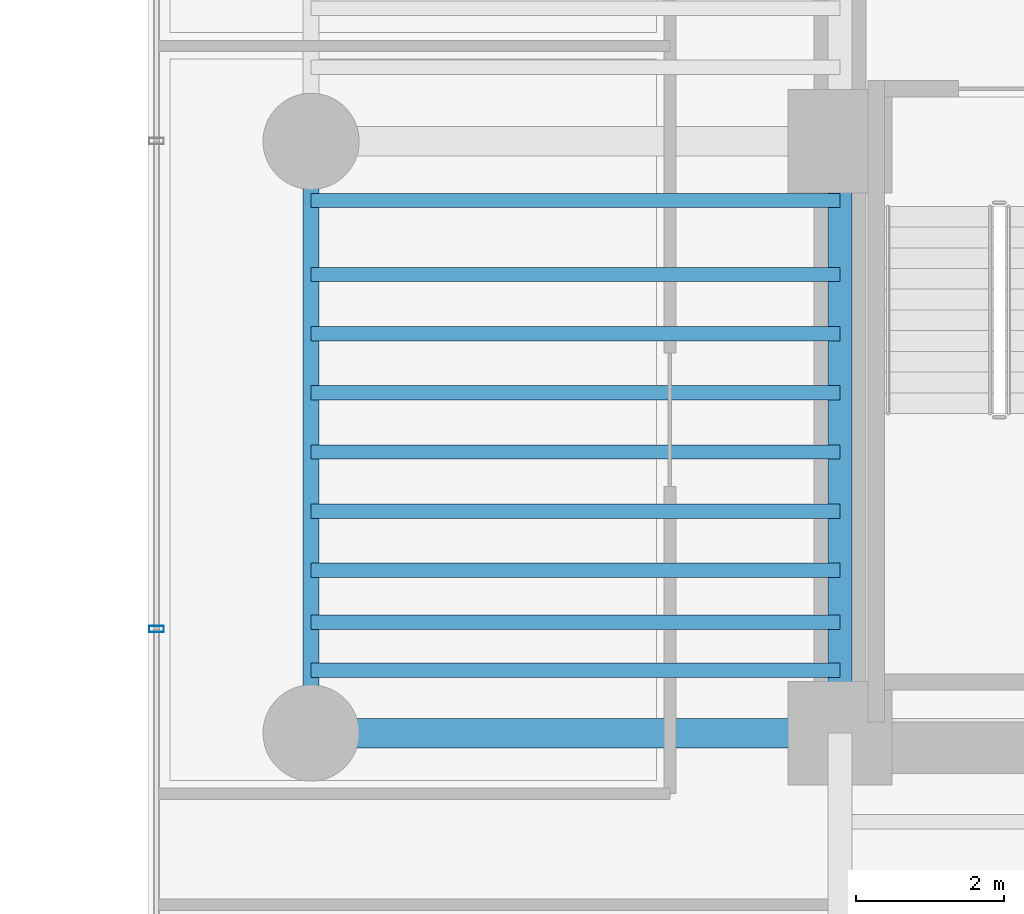
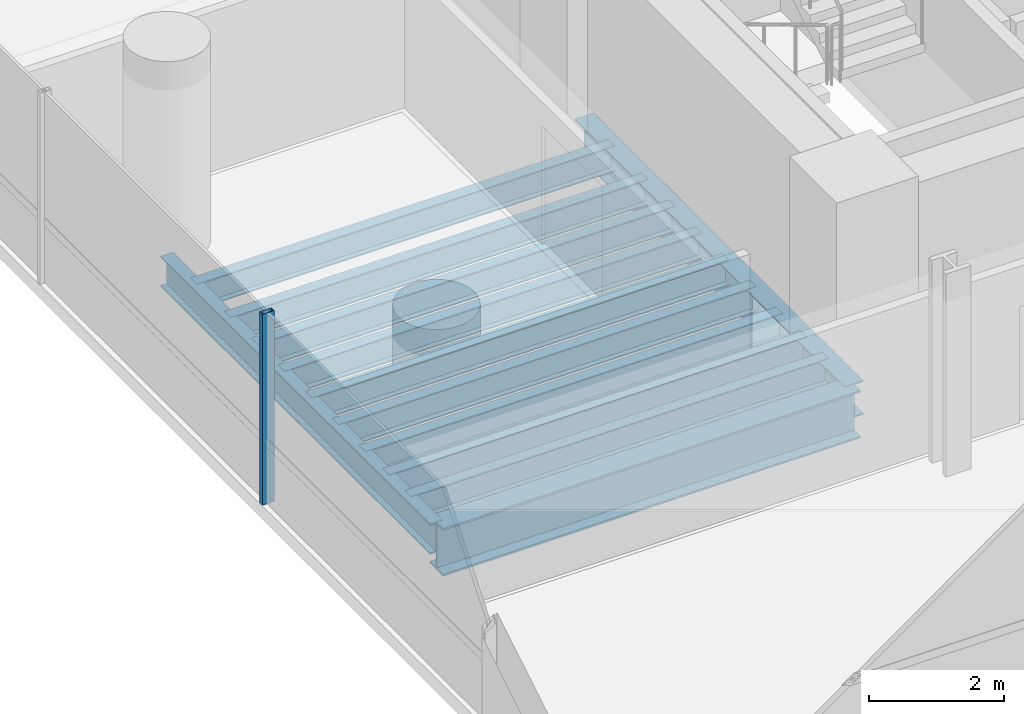
# One storey, part 4 of 40: 12 beams, 1 member, 1 element without a shape of its own.
"""IFC4 building model written with IfcOpenShell, lengths in metres."""

import ifcopenshell
import ifcopenshell.guid

model = None  # the IFC model being written
_history = None  # IfcOwnerHistory: only IFC2X3 demands one
_inside = {}  # id of a spatial element -> (the spatial element, [elements in it])
_under = {}  # id of a project, library or spatial element -> (it, [spatial elements below it])
_declared = {}  # id of a project -> (the project, [libraries it declares])
_typed = {}  # id of a type object -> (the type object, [elements of that type])
_made_of = {}  # id of a material, layer set ... -> (it, [elements and type objects made of it])


def new_model(schema):
    """Start an empty IFC model of exactly this schema.

    Asked for "IFC4X3", IfcOpenShell would pick the latest addendum, in which some entities
    have other attributes; the version numbers below select the first issue.
    IFC2X3 requires an IfcOwnerHistory on every rooted entity: one is made here for all.
    """
    global model, _history
    if schema == "IFC4X3":
        model = ifcopenshell.file(schema_version=(4, 3, 0, 0))
    else:
        model = ifcopenshell.file(schema=schema)
    _inside.clear()
    _under.clear()
    _declared.clear()
    _typed.clear()
    _made_of.clear()
    _history = None
    if model.schema == "IFC2X3":
        org = make("IfcOrganization", Name="unknown")
        user = make(
            "IfcPersonAndOrganization",
            ThePerson=make("IfcPerson", FamilyName="unknown"),
            TheOrganization=org,
        )
        app = make(
            "IfcApplication",
            ApplicationDeveloper=org,
            Version="unknown",
            ApplicationFullName="unknown",
            ApplicationIdentifier="unknown",
        )
        _history = make(
            "IfcOwnerHistory",
            OwningUser=user,
            OwningApplication=app,
            ChangeAction="ADDED",
            CreationDate=0,
        )
    return model


def make(cls, **values):
    """One entity of the class cls with the attributes given. An attribute that is None is left unset."""
    return model.create_entity(
        cls, **{name: value for name, value in values.items() if value is not None}
    )


def rooted(cls, **values):
    """An entity with a GlobalId (a new one), such as an element, a storey or a relation."""
    return make(cls, GlobalId=ifcopenshell.guid.new(), OwnerHistory=_history, **values)


def si_unit(unit_type, name, prefix=None):
    """IfcSIUnit, for example si_unit("LENGTHUNIT", "METRE", prefix="MILLI")."""
    return make("IfcSIUnit", UnitType=unit_type, Prefix=prefix, Name=name)


def assignment(units):
    """IfcUnitAssignment: the units of a project."""
    return None if units is None else make("IfcUnitAssignment", Units=units)


def point(xyz):
    """IfcCartesianPoint."""
    return None if xyz is None else make("IfcCartesianPoint", Coordinates=xyz)


def direction(xyz):
    """IfcDirection."""
    return None if xyz is None else make("IfcDirection", DirectionRatios=xyz)


def frame(location, z_axis=None, x_axis=None):
    """IfcAxis2Placement3D, a coordinate frame: its origin and axes. An axis left out is left unset."""
    return make(
        "IfcAxis2Placement3D",
        Location=point(location),
        Axis=direction(z_axis),
        RefDirection=direction(x_axis),
    )


def frame_2d(location, x_axis=None):
    """IfcAxis2Placement2D, a coordinate frame in the plane: its origin and x axis."""
    return make(
        "IfcAxis2Placement2D", Location=point(location), RefDirection=direction(x_axis)
    )


def origin():
    """The frame at (0, 0, 0) with its axes left unset."""
    return frame((0.0, 0.0, 0.0))


def origin_2d():
    """The frame at (0, 0) in the plane with its x axis left unset."""
    return frame_2d((0.0, 0.0))


def place(relative_to, where):
    """IfcLocalPlacement: puts the frame where relative to a parent placement (None: the world)."""
    return make(
        "IfcLocalPlacement", PlacementRelTo=relative_to, RelativePlacement=where
    )


def context(
    kind, dimensions, precision=None, world=None, true_north=None, identifier=None
):
    """IfcGeometricRepresentationContext, for example the 3D "Model" context."""
    return make(
        "IfcGeometricRepresentationContext",
        ContextIdentifier=identifier,
        ContextType=kind,
        CoordinateSpaceDimension=dimensions,
        Precision=precision,
        WorldCoordinateSystem=world,
        TrueNorth=true_north,
    )


def subcontext(parent, identifier, kind, view, scale=None):
    """IfcGeometricRepresentationSubContext, for example "Body" below "Model"."""
    return make(
        "IfcGeometricRepresentationSubContext",
        ContextIdentifier=identifier,
        ContextType=kind,
        ParentContext=parent,
        TargetScale=scale,
        TargetView=view,
    )


def project(units=None, contexts=None):
    """IfcProject with its units and contexts."""
    return rooted(
        "IfcProject",
        Name="project",
        RepresentationContexts=contexts,
        UnitsInContext=assignment(units),
    )


def spatial(cls, under=None, at=None, **own):
    """A site, building, storey or space (cls), placed at a placement, below another one or the project."""
    s = rooted(cls, ObjectPlacement=at, **own)
    if under is not None:
        _under.setdefault(under.id(), (under, []))[1].append(s)
    return s


def profile(cls, at=None, kind="AREA", **sizes):
    """A parametric profile (cls). Its sizes go by their IFC names, for example OverallWidth=200.0."""
    return make(cls, ProfileType=kind, Position=at, **sizes)


def hollow_rectangle(**sizes):
    """IfcRectangleHollowProfileDef."""
    return profile("IfcRectangleHollowProfileDef", **sizes)


def i_section(**sizes):
    """IfcIShapeProfileDef."""
    return profile("IfcIShapeProfileDef", **sizes)


def extrude(swept, where, along, depth):
    """IfcExtrudedAreaSolid: the profile swept, set in the frame where, extruded along a direction by depth."""
    return make(
        "IfcExtrudedAreaSolid",
        SweptArea=swept,
        Position=where,
        ExtrudedDirection=direction(along),
        Depth=depth,
    )


def shape(context_of_items, identifier, shape_type, items):
    """IfcShapeRepresentation: the items that make up one representation, for example the "Body"."""
    return make(
        "IfcShapeRepresentation",
        ContextOfItems=context_of_items,
        RepresentationIdentifier=identifier,
        RepresentationType=shape_type,
        Items=items,
    )


def source(mapping_origin, context_of_items, identifier, shape_type, items):
    """IfcRepresentationMap: a shape defined once, which mapped items show again and again."""
    return make(
        "IfcRepresentationMap",
        MappingOrigin=mapping_origin,
        MappedRepresentation=shape(context_of_items, identifier, shape_type, items),
    )


def transform(
    local_origin,
    x_axis=None,
    y_axis=None,
    z_axis=None,
    scale=None,
    scale2=None,
    scale3=None,
    uniform=True,
):
    """IfcCartesianTransformationOperator3D, or its non-uniform kind. x_axis, y_axis, z_axis: its Axis1, 2, 3."""
    if uniform:
        return make(
            "IfcCartesianTransformationOperator3D",
            Axis1=direction(x_axis),
            Axis2=direction(y_axis),
            LocalOrigin=point(local_origin),
            Scale=scale,
            Axis3=direction(z_axis),
        )
    return make(
        "IfcCartesianTransformationOperator3DnonUniform",
        Axis1=direction(x_axis),
        Axis2=direction(y_axis),
        LocalOrigin=point(local_origin),
        Scale=scale,
        Axis3=direction(z_axis),
        Scale2=scale2,
        Scale3=scale3,
    )


def mapped(mapping_source, mapping_target):
    """IfcMappedItem: shows the shape of a source again, moved by a transform."""
    return make(
        "IfcMappedItem", MappingSource=mapping_source, MappingTarget=mapping_target
    )


def material(Name=None, Category=None):
    """IfcMaterial."""
    return make("IfcMaterial", Name=Name, Category=Category)


def material_profile(
    of_material, cross_section, Name=None, Category=None, Priority=None
):
    """IfcMaterialProfile: a cross section and its material."""
    return make(
        "IfcMaterialProfile",
        Name=Name,
        Material=of_material,
        Profile=cross_section,
        Priority=Priority,
        Category=Category,
    )


def profile_set(profiles, Name=None, composite=None):
    """IfcMaterialProfileSet."""
    return make(
        "IfcMaterialProfileSet",
        Name=Name,
        MaterialProfiles=profiles,
        CompositeProfile=composite,
    )


def made_of(thing, what):
    """Note that an element or type object is made of a material, layer set ...; save() writes the relation."""
    if what is not None:
        _made_of.setdefault(what.id(), (what, []))[1].append(thing)
    return thing


def type_object(cls, material=None, **own):
    """A type object (cls), such as IfcWallType, which elements share."""
    return made_of(rooted(cls, **own), material)


def element(
    cls,
    number,
    at=None,
    inside=None,
    cuts=None,
    type_object=None,
    material=None,
    context=None,
    identifier="Body",
    shape_type=None,
    held_by="IfcProductDefinitionShape",
    body=None,
    shapes=None,
    **own,
):
    """One element of the class cls, such as IfcWall. Its Tag is "e" and its number.

    at: its placement. inside: the storey or other place that contains it. cuts: it is an
    opening in that element (IfcRelVoidsElement). A single representation is given by context,
    identifier, shape_type and body (its items); several are given by shapes. held_by: the class
    of the entity that holds the representations. save() writes the other relations.
    """
    e = rooted(cls, Tag="e%d" % number, ObjectPlacement=at, **own)
    if body is not None:
        shapes = [shape(context, identifier, shape_type, body)]
    if shapes is not None:
        e.Representation = make(held_by, Representations=shapes)
    if inside is not None:
        _inside.setdefault(inside.id(), (inside, []))[1].append(e)
    if cuts is not None:
        rooted(
            "IfcRelVoidsElement", RelatingBuildingElement=cuts, RelatedOpeningElement=e
        )
    if type_object is not None:
        _typed.setdefault(type_object.id(), (type_object, []))[1].append(e)
    return made_of(e, material)


def aggregate(whole, parts):
    """IfcRelAggregates: a whole, such as a stair, and the parts it consists of."""
    return rooted("IfcRelAggregates", RelatingObject=whole, RelatedObjects=parts)


def save(model, path):
    """Write the relations noted so far, then the file.

    IfcRelAggregates (storeys below a building ...), IfcRelContainedInSpatialStructure (elements
    in a storey), IfcRelDefinesByType, IfcRelAssociatesMaterial and IfcRelDeclares: one each for
    every whole, place, type object, material and project.
    """
    for whole, parts in _under.values():
        aggregate(whole, parts)
    for where, things in _inside.values():
        rooted(
            "IfcRelContainedInSpatialStructure",
            RelatedElements=things,
            RelatingStructure=where,
        )
    for kind, things in _typed.values():
        rooted("IfcRelDefinesByType", RelatedObjects=things, RelatingType=kind)
    for what, things in _made_of.values():
        rooted("IfcRelAssociatesMaterial", RelatedObjects=things, RelatingMaterial=what)
    for by, libraries in _declared.values():
        rooted("IfcRelDeclares", RelatingContext=by, RelatedDefinitions=libraries)
    model.write(path)


model = new_model("IFC4")

# Units and contexts
model_context = context("Model", 3, precision=1e-05, world=origin(), true_north=direction((0.0, 1.0)))
body_context = subcontext(model_context, "Body", "Model", "MODEL_VIEW")
ifc_project = project(units=[si_unit("LENGTHUNIT", "METRE"), si_unit("AREAUNIT", "SQUARE_METRE"), si_unit("VOLUMEUNIT", "CUBIC_METRE"), si_unit("PLANEANGLEUNIT", "RADIAN"), si_unit("MASSUNIT", "GRAM", prefix="KILO")], contexts=[model_context])

# Site, building, storey
site_placement = place(None, origin())
site = spatial("IfcSite", under=ifc_project, at=site_placement, CompositionType="ELEMENT")
building_placement = place(site_placement, origin())
building = spatial("IfcBuilding", under=site, at=building_placement, Name="Valdorenza Pilgrim Sanctuary Tower", CompositionType="ELEMENT")
storey_placement = place(building_placement, frame((0.0, 0.0, 48.199951171875)))
storey = spatial("IfcBuildingStorey", under=building, at=storey_placement, Name="L11", CompositionType="ELEMENT", Elevation=48.199951171875)

# Beams
ifc_material_1 = material(Name="Steel ASTM A992 Grade 50", Category="steel")
ifc_material_profile_1 = material_profile(ifc_material_1, i_section(OverallWidth=0.214111328125, OverallDepth=0.549072265625, WebThickness=0.0146484375, FlangeThickness=0.023681640625, at=origin_2d()), Name="W21X93")
ifc_profile_set_1 = profile_set([ifc_material_profile_1], Name="Steel ASTM A992 Grade 50")
beam_type_1 = type_object("IfcBeamType", Name="STR-BM-SPN-W21A", PredefinedType="SPANDREL", material=ifc_profile_set_1)
shared_shape_1 = source(origin(), body_context, "Body", "SweptSolid", [
    extrude(i_section(OverallWidth=0.214111328125, OverallDepth=0.549072265625, WebThickness=0.0146484375, FlangeThickness=0.023681640625, at=origin_2d()), origin(), (0.0, 0.0, 1.0), 8.0),
])
beam_1_placement = place(storey_placement, frame((-29.800048828125, -10.60009765625, -0.514404296875), z_axis=(0.0, 1.0, 0.0), x_axis=(-1.0, 0.0, 0.0)))
element("IfcBeam", 1, at=beam_1_placement, inside=storey, type_object=beam_type_1, Name="L11 Spandrel Beam WA-W-S1M0", PredefinedType="SPANDREL", context=body_context, shape_type="MappedRepresentation", body=[
    mapped(shared_shape_1, transform((0.0, 0.0, 0.0), x_axis=(1.0, 0.0, 0.0), y_axis=(0.0, 1.0, 0.0), z_axis=(0.0, 0.0, 1.0), scale=1.0)),
])
ifc_material_profile_2 = material_profile(ifc_material_1, i_section(OverallWidth=0.323974609375, OverallDepth=0.611083984375, WebThickness=0.0126953125, FlangeThickness=0.01904296875, at=origin_2d()), Name="W24X104")
ifc_profile_set_2 = profile_set([ifc_material_profile_2], Name="Steel ASTM A992 Grade 50")
beam_type_2 = type_object("IfcBeamType", Name="STR-BM-GRD-W24B", PredefinedType="BEAM", material=ifc_profile_set_2)
shared_shape_2 = source(origin(), body_context, "Body", "SweptSolid", [
    extrude(i_section(OverallWidth=0.323974609375, OverallDepth=0.611083984375, WebThickness=0.0126953125, FlangeThickness=0.01904296875, at=origin_2d()), origin(), (0.0, 0.0, 1.0), 8.0),
])
beam_2_placement = place(storey_placement, frame((-22.64990234375, -10.60009765625, -0.54541015625), z_axis=(0.0, 1.0, 0.0), x_axis=(-1.0, 0.0, 0.0)))
element("IfcBeam", 2, at=beam_2_placement, inside=storey, type_object=beam_type_2, Name="L11 Core Tie Girder CA-W-S1M0", PredefinedType="BEAM", context=body_context, shape_type="MappedRepresentation", body=[
    mapped(shared_shape_2, transform((0.0, 0.0, 0.0), x_axis=(1.0, 0.0, 0.0), y_axis=(0.0, 1.0, 0.0), z_axis=(0.0, 0.0, 1.0), scale=1.0)),
])
ifc_material_profile_3 = material_profile(ifc_material_1, i_section(OverallWidth=0.193115234375, OverallDepth=0.466064453125, WebThickness=0.011474609375, FlangeThickness=0.01904296875, at=origin_2d()), Name="W18X65")
ifc_profile_set_3 = profile_set([ifc_material_profile_3], Name="Steel ASTM A992 Grade 50")
beam_type_3 = type_object("IfcBeamType", Name="STR-BM-JST-W18A", PredefinedType="JOIST", material=ifc_profile_set_3)
shared_shape_3 = source(origin(), body_context, "Body", "SweptSolid", [
    extrude(i_section(OverallWidth=0.193115234375, OverallDepth=0.466064453125, WebThickness=0.011474609375, FlangeThickness=0.01904296875, at=origin_2d()), origin(), (0.0, 0.0, 1.0), 7.150146484375),
])
for number, where, z_axis, x_axis, name in (
    (3, (-29.800048828125, -9.75, -0.472900390625), (1.0, 0.0, 0.0), (0.0, 1.0, 0.0), "L11 Composite Floor Joist JST-WA-1"),
    (4, (-29.800048828125, -9.10009765625, -0.472900390625), (1.0, 0.0, 0.0), (0.0, 1.0, 0.0), "L11 Composite Floor Joist JST-WA-2"),
    (5, (-29.800048828125, -8.39990234375, -0.472900390625), (1.0, 0.0, 0.0), (0.0, 1.0, 0.0), "L11 Composite Floor Joist JST-WA-3"),
    (6, (-29.800048828125, -7.60009765625, -0.472900390625), (1.0, 0.0, 0.0), (0.0, 1.0, 0.0), "L11 Composite Floor Joist JST-WA-4"),
    (7, (-29.800048828125, -6.800048828125, -0.472900390625), (1.0, 0.0, 0.0), (0.0, 1.0, 0.0), "L11 Composite Floor Joist JST-WA-5"),
    (8, (-29.800048828125, -6.0, -0.472900390625), (1.0, 0.0, 0.0), (0.0, 1.0, 0.0), "L11 Composite Floor Joist JST-WA-6"),
    (9, (-29.800048828125, -5.199951171875, -0.472900390625), (1.0, 0.0, 0.0), (0.0, 1.0, 0.0), "L11 Composite Floor Joist JST-WA-7"),
    (10, (-29.800048828125, -4.39990234375, -0.472900390625), (1.0, 0.0, 0.0), (0.0, 1.0, 0.0), "L11 Composite Floor Joist JST-WA-8"),
    (11, (-29.800048828125, -3.39990234375, -0.472900390625), (1.0, 0.0, 0.0), (0.0, 1.0, 0.0), "L11 Composite Floor Joist JST-WA-9"),
):
    element("IfcBeam", number, at=place(storey_placement, frame(where, z_axis=z_axis, x_axis=x_axis)), inside=storey, type_object=beam_type_3, Name=name, PredefinedType="JOIST", context=body_context, shape_type="MappedRepresentation", body=[
        mapped(shared_shape_3, transform((0.0, 0.0, 0.0), x_axis=(1.0, 0.0, 0.0), y_axis=(0.0, 1.0, 0.0), z_axis=(0.0, 0.0, 1.0), scale=1.0)),
    ])
ifc_material_profile_4 = material_profile(ifc_material_1, i_section(OverallWidth=0.39990234375, OverallDepth=0.862060546875, WebThickness=0.019775390625, FlangeThickness=0.032470703125, at=origin_2d()), Name="W33X221")
ifc_profile_set_4 = profile_set([ifc_material_profile_4], Name="Steel ASTM A992 Grade 50")
beam_type_4 = type_object("IfcBeamType", Name="STR-BM-GRD-W33", PredefinedType="BEAM", material=ifc_profile_set_4)
shared_shape_4 = source(origin(), body_context, "Body", "SweptSolid", [
    extrude(i_section(OverallWidth=0.39990234375, OverallDepth=0.862060546875, WebThickness=0.019775390625, FlangeThickness=0.032470703125, at=origin_2d()), origin(), (0.0, 0.0, 1.0), 7.150146484375),
])
beam_3_placement = place(storey_placement, frame((-29.800048828125, -10.60009765625, -0.6708984375), z_axis=(1.0, 0.0, 0.0), x_axis=(0.0, 1.0, 0.0)))
element("IfcBeam", 12, at=beam_3_placement, inside=storey, type_object=beam_type_4, Name="L11 Floor Girder WA-XW-S1", PredefinedType="BEAM", context=body_context, shape_type="MappedRepresentation", body=[
    mapped(shared_shape_4, transform((0.0, 0.0, 0.0), x_axis=(1.0, 0.0, 0.0), y_axis=(0.0, 1.0, 0.0), z_axis=(0.0, 0.0, 1.0), scale=1.0)),
])

# Curtain wall, member
ifc_material_2 = material(Name="Curtain-wall IGU glazing", Category="glass")
curtain_wall_type = type_object("IfcCurtainWallType", Name="CW-SYS-02", PredefinedType="NOTDEFINED", material=ifc_material_2)
curtain_wall_placement = place(storey_placement, origin())
curtain_wall = element("IfcCurtainWall", 13, at=curtain_wall_placement, inside=storey, type_object=curtain_wall_type, Name="L11 Curtain Wall CW-L11-1-1S1", PredefinedType="NOTDEFINED")
ifc_material_3 = material(Name="Anodised aluminium AW-6060", Category="aluminium")
ifc_material_profile_5 = material_profile(ifc_material_3, hollow_rectangle(XDim=0.0849609375, YDim=0.199951171875, WallThickness=0.0048828125, at=origin_2d()), Name="ALU-M 200x85x5")
ifc_profile_set_5 = profile_set([ifc_material_profile_5], Name="Anodised aluminium AW-6060")
member_type = type_object("IfcMemberType", Name="CW-MUL-02", PredefinedType="MULLION", material=ifc_profile_set_5)
shared_shape_5 = source(origin(), body_context, "Body", "SweptSolid", [
    extrude(hollow_rectangle(XDim=0.0849609375, YDim=0.199951171875, WallThickness=0.0048828125, at=origin_2d()), origin(), (0.0, 0.0, 1.0), 3.4599609375),
])
member_placement = place(storey_placement, frame((-31.889892578125, -9.19189453125, 0.0), z_axis=(0.0, 0.0, 1.0), x_axis=(0.0, 1.0, 0.0)))
member = element("IfcMember", 14, at=member_placement, type_object=member_type, Name="CW-L11-1-1S1 Mullion 2", PredefinedType="MULLION", context=body_context, shape_type="MappedRepresentation", body=[
    mapped(shared_shape_5, transform((0.0, 0.0, 0.0), x_axis=(1.0, 0.0, 0.0), y_axis=(0.0, 1.0, 0.0), z_axis=(0.0, 0.0, 1.0), scale=1.0)),
])
aggregate(curtain_wall, [member])

save(model, "model.ifc")
